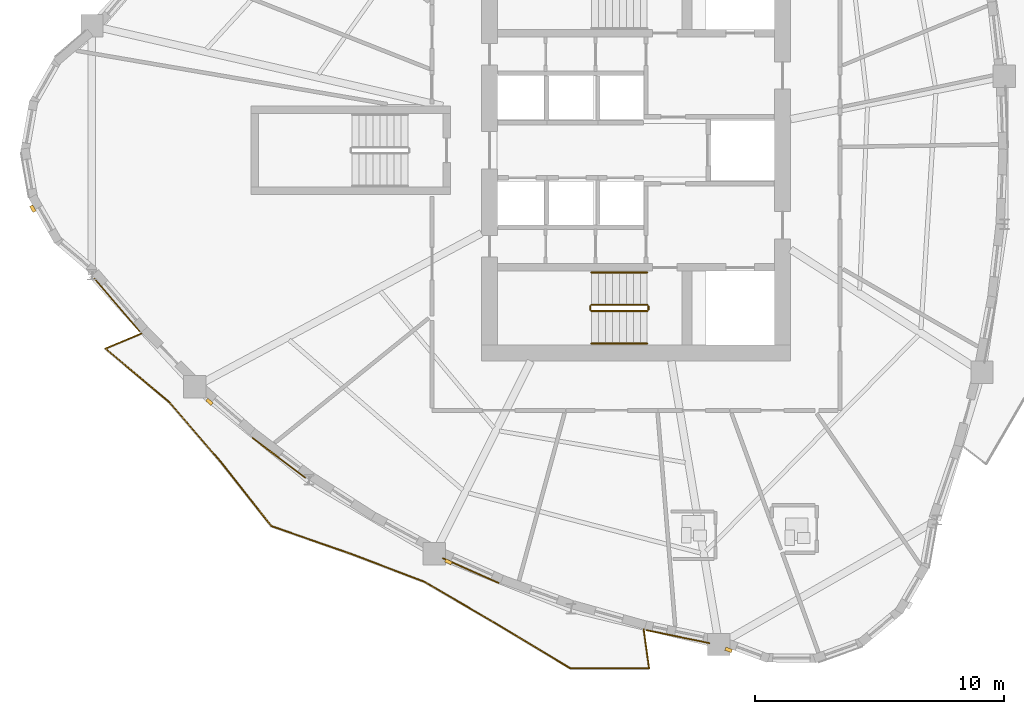
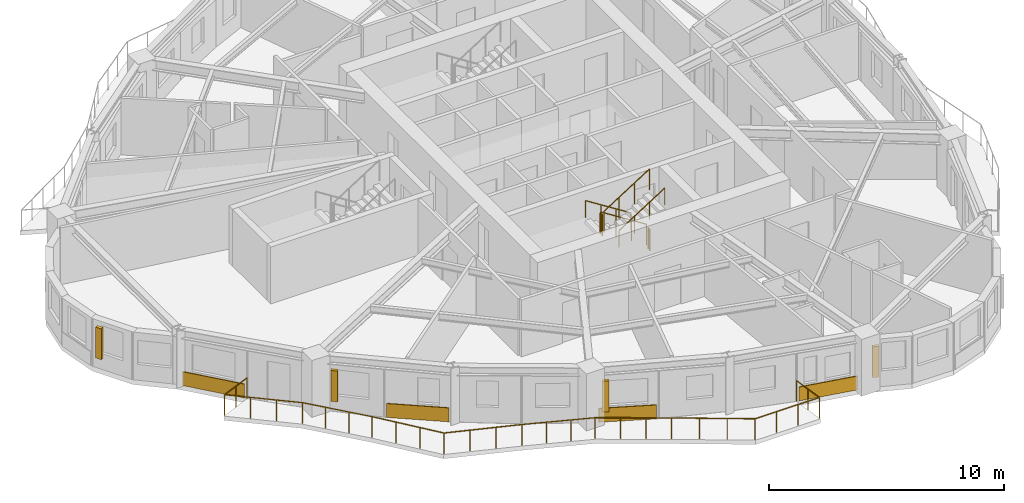
# One storey, part 9 of 12: 7 railings, 4 coverings, 4 shading devices.
"""IFC4 building model written with IfcOpenShell, lengths in metres."""

from ifc_helpers import new_model, si_unit, direction, frame, origin, origin_2d, place, context, subcontext, project, spatial, rectangle, circle, extrude, source, transform, mapped, material, layer, layer_set, type_object, element, save


model = new_model("IFC4")

# Units and contexts
model_context = context("Model", 3, precision=1e-05, world=origin(), true_north=direction((0.0, 1.0)))
body_context = subcontext(model_context, "Body", "Model", "MODEL_VIEW")
ifc_project = project(units=[si_unit("LENGTHUNIT", "METRE"), si_unit("AREAUNIT", "SQUARE_METRE"), si_unit("VOLUMEUNIT", "CUBIC_METRE"), si_unit("PLANEANGLEUNIT", "RADIAN"), si_unit("MASSUNIT", "GRAM", prefix="KILO")], contexts=[model_context])

# Site, building, storey
site_placement = place(None, origin())
site = spatial("IfcSite", under=ifc_project, at=site_placement, CompositionType="ELEMENT")
building_placement = place(site_placement, origin())
building = spatial("IfcBuilding", under=site, at=building_placement, Name="Qafzar Sky-Pleat Residences", CompositionType="ELEMENT")
storey_placement = place(building_placement, frame((0.0, 0.0, 121.60009765625)))
storey = spatial("IfcBuildingStorey", under=building, at=storey_placement, Name="L36", CompositionType="ELEMENT", Elevation=121.60009765625)

# Shading devices
ifc_material_1 = material(Name="Honed Riyadh limestone solar fin", Category="masonry")
ifc_layer_1 = layer(ifc_material_1, 0.139892578125)
ifc_layer_set_1 = layer_set([ifc_layer_1], Name="Honed Riyadh limestone solar fin")
shading_device_type = type_object("IfcShadingDeviceType", Name="SHD-FIN-STONE", PredefinedType="SHUTTER", material=ifc_layer_set_1)
shared_shape_1 = source(origin(), body_context, "Body", "SweptSolid", [
    extrude(rectangle(XDim=0.139892578125, YDim=0.280029296875, at=origin_2d()), origin(), (0.0, 0.0, 1.0), 1.60009765625),
])
for number, where, z_axis, x_axis, name in (
    (1, (6.156982421875, 23.658935546875, 0.599853515625), (0.0, 0.0, 1.0), (-0.86830785133, -0.4960256801, 0.0), "L36 Limestone Solar Fin 5"),
    (2, (13.2412109375, 15.90966796875, 0.599853515625), (0.0, 0.0, 1.0), (-0.659785415197, -0.751454061066, 0.0), "L36 Limestone Solar Fin 9"),
    (3, (22.826171875, 9.492431640625, 0.599853515625), (0.0, 0.0, 1.0), (-0.407076106401, -0.913394243247, 0.0), "L36 Limestone Solar Fin 13"),
    (4, (34.06201171875, 5.962890625, 0.599853515625), (0.0, 0.0, 1.0), (-0.349925962996, -0.936777359046, 0.0), "L36 Limestone Solar Fin 17"),
):
    element("IfcShadingDevice", number, at=place(storey_placement, frame(where, z_axis=z_axis, x_axis=x_axis)), inside=storey, type_object=shading_device_type, Name=name, PredefinedType="SHUTTER", context=body_context, shape_type="MappedRepresentation", body=[
        mapped(shared_shape_1, transform((0.0, 0.0, 0.0), x_axis=(1.0, 0.0, 0.0), y_axis=(0.0, 1.0, 0.0), z_axis=(0.0, 0.0, 1.0), scale=1.0)),
    ])

# Coverings
ifc_material_2 = material(Name="Honed Riyadh Tuwaiq limestone cladding", Category="masonry")
ifc_layer_2 = layer(ifc_material_2, 0.044921875)
ifc_layer_set_2 = layer_set([ifc_layer_2], Name="Honed Riyadh Tuwaiq limestone cladding")
covering_type = type_object("IfcCoveringType", Name="COV-CLAD-STONE", PredefinedType="CLADDING", material=ifc_layer_set_2)
shared_shape_2 = source(origin(), body_context, "Body", "SweptSolid", [
    extrude(rectangle(XDim=2.79296875, YDim=0.044921875, at=origin_2d()), origin(), (0.0, 0.0, 1.0), 0.719970703125),
])
covering_1_placement = place(storey_placement, frame((9.53466796875, 19.796142578125, 0.02001953125), z_axis=(0.0, 0.0, 1.0), x_axis=(0.650722374464, -0.75931573892, 0.0)))
element("IfcCovering", 5, at=covering_1_placement, inside=storey, type_object=covering_type, Name="L36 Riyadh Limestone Spandrel Cladding 7", PredefinedType="CLADDING", context=body_context, shape_type="MappedRepresentation", body=[
    mapped(shared_shape_2, transform((0.0, 0.0, 0.0), x_axis=(1.0, 0.0, 0.0), y_axis=(0.0, 1.0, 0.0), z_axis=(0.0, 0.0, 1.0), scale=1.0)),
])
shared_shape_3 = source(origin(), body_context, "Body", "SweptSolid", [
    extrude(rectangle(XDim=2.66064453125, YDim=0.044921875, at=origin_2d()), origin(), (0.0, 0.0, 1.0), 0.719970703125),
])
covering_2_placement = place(storey_placement, frame((16.0263671875, 13.663818359375, 0.02001953125), z_axis=(0.0, 0.0, 1.0), x_axis=(0.798349004967, -0.602195040056, 0.0)))
element("IfcCovering", 6, at=covering_2_placement, inside=storey, type_object=covering_type, Name="L36 Riyadh Limestone Spandrel Cladding 10", PredefinedType="CLADDING", context=body_context, shape_type="MappedRepresentation", body=[
    mapped(shared_shape_3, transform((0.0, 0.0, 0.0), x_axis=(1.0, 0.0, 0.0), y_axis=(0.0, 1.0, 0.0), z_axis=(0.0, 0.0, 1.0), scale=1.0)),
])
shared_shape_4 = source(origin(), body_context, "Body", "SweptSolid", [
    extrude(rectangle(XDim=2.4716796875, YDim=0.044921875, at=origin_2d()), origin(), (0.0, 0.0, 1.0), 0.719970703125),
])
covering_3_placement = place(storey_placement, frame((23.720458984375, 9.14111328125, 0.02001953125), z_axis=(0.0, 0.0, 1.0), x_axis=(0.913398138827, -0.407067365417, 0.0)))
element("IfcCovering", 7, at=covering_3_placement, inside=storey, type_object=covering_type, Name="L36 Riyadh Limestone Spandrel Cladding 13", PredefinedType="CLADDING", context=body_context, shape_type="MappedRepresentation", body=[
    mapped(shared_shape_4, transform((0.0, 0.0, 0.0), x_axis=(1.0, 0.0, 0.0), y_axis=(0.0, 1.0, 0.0), z_axis=(0.0, 0.0, 1.0), scale=1.0)),
])
shared_shape_5 = source(origin(), body_context, "Body", "SweptSolid", [
    extrude(rectangle(XDim=2.60400390625, YDim=0.044921875, at=origin_2d()), origin(), (0.0, 0.0, 1.0), 0.719970703125),
])
covering_4_placement = place(storey_placement, frame((32.030029296875, 6.4931640625, 0.02001953125), z_axis=(0.0, 0.0, 1.0), x_axis=(0.979418074611, -0.201842104442, 0.0)))
element("IfcCovering", 8, at=covering_4_placement, inside=storey, type_object=covering_type, Name="L36 Riyadh Limestone Spandrel Cladding 16", PredefinedType="CLADDING", context=body_context, shape_type="MappedRepresentation", body=[
    mapped(shared_shape_5, transform((0.0, 0.0, 0.0), x_axis=(1.0, 0.0, 0.0), y_axis=(0.0, 1.0, 0.0), z_axis=(0.0, 0.0, 1.0), scale=1.0)),
])

# Railings
ifc_material_3 = material(Name="Laminated glass and bronze steel balustrade", Category="steel")
railing_type_1 = type_object("IfcRailingType", Name="RAIL-BAL-1100", PredefinedType="BALUSTRADE", material=ifc_material_3)
shared_shape_6 = source(origin(), body_context, "Body", "SweptSolid", [
    extrude(circle(Radius=0.02392578125, at=origin_2d()), frame((0.0, 0.0, 1.076171875), z_axis=(-0.921859445808, -0.387524402039, 0.0), x_axis=(0.387524402039, -0.921859445808, 0.0)), (0.0, 0.0, 1.0), 1.578125),
    extrude(circle(Radius=0.02392578125, at=origin_2d()), frame((-1.454833984375, -0.611572265625, 1.076171875), z_axis=(0.765810733423, -0.643066031271, 0.0), x_axis=(0.643066031271, 0.765810733423, 0.0)), (0.0, 0.0, 1.0), 3.361328125),
    extrude(circle(Radius=0.02392578125, at=origin_2d()), frame((1.119384765625, -2.773193359375, 1.076171875), z_axis=(0.6520902188, -0.758141376358, 0.0), x_axis=(0.758141376358, 0.6520902188, 0.0)), (0.0, 0.0, 1.0), 3.14013671875),
    extrude(circle(Radius=0.02392578125, at=origin_2d()), frame((3.1669921875, -5.15380859375, 1.076171875), z_axis=(0.619603298541, -0.784915124352, 0.0), x_axis=(0.784915124352, 0.619603298541, 0.0)), (0.0, 0.0, 1.0), 3.282958984375),
    extrude(circle(Radius=0.02392578125, at=origin_2d()), frame((5.201171875, -7.730712890625, 1.076171875), z_axis=(0.944286935064, -0.329123357219, 0.0), x_axis=(0.329123357219, 0.944286935064, 0.0)), (0.0, 0.0, 1.0), 3.37744140625),
    extrude(circle(Radius=0.02392578125, at=origin_2d()), frame((8.390380859375, -8.84228515625, 1.076171875), z_axis=(0.934756882353, -0.355288011189, 0.0), x_axis=(0.355288011189, 0.934756882353, 0.0)), (0.0, 0.0, 1.0), 3.158203125),
    extrude(circle(Radius=0.02392578125, at=origin_2d()), frame((11.342529296875, -9.96435546875, 1.076171875), z_axis=(0.863282697097, -0.504720699886, 0.0), x_axis=(0.504720699886, 0.863282697097, 0.0)), (0.0, 0.0, 1.0), 3.25048828125),
    extrude(circle(Radius=0.02392578125, at=origin_2d()), frame((14.148681640625, -11.60498046875, 1.076171875), z_axis=(0.856793546701, -0.515659595403, 0.0), x_axis=(0.515659595403, 0.856793546701, 0.0)), (0.0, 0.0, 1.0), 3.546142578125),
    extrude(circle(Radius=0.02392578125, at=origin_2d()), frame((17.18701171875, -13.43359375, 1.076171875), z_axis=(0.999999952252, 0.000309023471, 0.0), x_axis=(-0.000309023471, 0.999999952252, 0.0)), (0.0, 0.0, 1.0), 3.16015625),
    extrude(circle(Radius=0.02392578125, at=origin_2d()), frame((20.34716796875, -13.4326171875, 1.076171875), z_axis=(-0.136914851748, 0.990582820046, 0.0), x_axis=(-0.990582820046, -0.136914851748, 0.0)), (0.0, 0.0, 1.0), 1.578125),
    extrude(circle(Radius=0.02099609375, at=origin_2d()), origin(), (0.0, 0.0, 1.0), 1.052001953125),
    extrude(circle(Radius=0.02099609375, at=origin_2d()), frame((-0.7275390625, -0.3056640625, 0.0)), (0.0, 0.0, 1.0), 1.052001953125),
    extrude(circle(Radius=0.02099609375, at=origin_2d()), frame((-1.454833984375, -0.611572265625, 0.0)), (0.0, 0.0, 1.0), 1.052001953125),
    extrude(circle(Radius=0.02099609375, at=origin_2d()), frame((-0.5966796875, -1.33203125, 0.0)), (0.0, 0.0, 1.0), 1.052001953125),
    extrude(circle(Radius=0.02099609375, at=origin_2d()), frame((0.26123046875, -2.052734375, 0.0)), (0.0, 0.0, 1.0), 1.052001953125),
    extrude(circle(Radius=0.02099609375, at=origin_2d()), frame((1.119384765625, -2.773193359375, 0.0)), (0.0, 0.0, 1.0), 1.052001953125),
    extrude(circle(Radius=0.02099609375, at=origin_2d()), frame((1.802001953125, -3.566650390625, 0.0)), (0.0, 0.0, 1.0), 1.052001953125),
    extrude(circle(Radius=0.02099609375, at=origin_2d()), frame((2.484375, -4.3603515625, 0.0)), (0.0, 0.0, 1.0), 1.052001953125),
    extrude(circle(Radius=0.02099609375, at=origin_2d()), frame((3.1669921875, -5.15380859375, 0.0)), (0.0, 0.0, 1.0), 1.052001953125),
    extrude(circle(Radius=0.02099609375, at=origin_2d()), frame((3.844970703125, -6.0126953125, 0.0)), (0.0, 0.0, 1.0), 1.052001953125),
    extrude(circle(Radius=0.02099609375, at=origin_2d()), frame((4.523193359375, -6.871826171875, 0.0)), (0.0, 0.0, 1.0), 1.052001953125),
    extrude(circle(Radius=0.02099609375, at=origin_2d()), frame((5.201171875, -7.730712890625, 0.0)), (0.0, 0.0, 1.0), 1.052001953125),
    extrude(circle(Radius=0.02099609375, at=origin_2d()), frame((6.26416015625, -8.101318359375, 0.0)), (0.0, 0.0, 1.0), 1.052001953125),
    extrude(circle(Radius=0.02099609375, at=origin_2d()), frame((7.327392578125, -8.4716796875, 0.0)), (0.0, 0.0, 1.0), 1.052001953125),
    extrude(circle(Radius=0.02099609375, at=origin_2d()), frame((8.390380859375, -8.84228515625, 0.0)), (0.0, 0.0, 1.0), 1.052001953125),
    extrude(circle(Radius=0.02099609375, at=origin_2d()), frame((9.37451171875, -9.21630859375, 0.0)), (0.0, 0.0, 1.0), 1.052001953125),
    extrude(circle(Radius=0.02099609375, at=origin_2d()), frame((10.3583984375, -9.59033203125, 0.0)), (0.0, 0.0, 1.0), 1.052001953125),
    extrude(circle(Radius=0.02099609375, at=origin_2d()), frame((11.342529296875, -9.96435546875, 0.0)), (0.0, 0.0, 1.0), 1.052001953125),
    extrude(circle(Radius=0.02099609375, at=origin_2d()), frame((12.27783203125, -10.51123046875, 0.0)), (0.0, 0.0, 1.0), 1.052001953125),
    extrude(circle(Radius=0.02099609375, at=origin_2d()), frame((13.21337890625, -11.05810546875, 0.0)), (0.0, 0.0, 1.0), 1.052001953125),
    extrude(circle(Radius=0.02099609375, at=origin_2d()), frame((14.148681640625, -11.60498046875, 0.0)), (0.0, 0.0, 1.0), 1.052001953125),
    extrude(circle(Radius=0.02099609375, at=origin_2d()), frame((15.161376953125, -12.214599609375, 0.0)), (0.0, 0.0, 1.0), 1.052001953125),
    extrude(circle(Radius=0.02099609375, at=origin_2d()), frame((16.17431640625, -12.823974609375, 0.0)), (0.0, 0.0, 1.0), 1.052001953125),
    extrude(circle(Radius=0.02099609375, at=origin_2d()), frame((17.18701171875, -13.43359375, 0.0)), (0.0, 0.0, 1.0), 1.052001953125),
    extrude(circle(Radius=0.02099609375, at=origin_2d()), frame((18.240478515625, -13.433349609375, 0.0)), (0.0, 0.0, 1.0), 1.052001953125),
    extrude(circle(Radius=0.02099609375, at=origin_2d()), frame((19.293701171875, -13.432861328125, 0.0)), (0.0, 0.0, 1.0), 1.052001953125),
    extrude(circle(Radius=0.02099609375, at=origin_2d()), frame((20.34716796875, -13.4326171875, 0.0)), (0.0, 0.0, 1.0), 1.052001953125),
    extrude(circle(Radius=0.02099609375, at=origin_2d()), frame((20.2392578125, -12.65087890625, 0.0)), (0.0, 0.0, 1.0), 1.052001953125),
    extrude(circle(Radius=0.02099609375, at=origin_2d()), frame((20.131103515625, -11.869384765625, 0.0)), (0.0, 0.0, 1.0), 1.052001953125),
])
railing_1_placement = place(storey_placement, frame((10.525390625, 18.656494140625, 0.0)))
element("IfcRailing", 9, at=railing_1_placement, inside=storey, type_object=railing_type_1, Name="L36 Pleated Balcony 3 Balustrade", PredefinedType="BALUSTRADE", context=body_context, shape_type="MappedRepresentation", body=[
    mapped(shared_shape_6, transform((0.0, 0.0, 0.0), x_axis=(1.0, 0.0, 0.0), y_axis=(0.0, 1.0, 0.0), z_axis=(0.0, 0.0, 1.0), scale=1.0)),
])
ifc_material_4 = material(Name="Painted Steel S355 stair guardrail", Category="steel")
railing_type_2 = type_object("IfcRailingType", Name="RAIL-STAIR-GUARD", PredefinedType="GUARDRAIL", material=ifc_material_4)
shared_shape_7 = source(origin(), body_context, "Body", "SweptSolid", [
    extrude(circle(Radius=0.02392578125, at=origin_2d()), frame((0.0, 0.0, 1.076171875), z_axis=(0.0, -1.0, 0.0), x_axis=(1.0, 0.0, 0.0)), (0.0, 0.0, 1.0), 0.14990234375),
    extrude(circle(Radius=0.02099609375, at=origin_2d()), origin(), (0.0, 0.0, 1.0), 1.052001953125),
    extrude(circle(Radius=0.02099609375, at=origin_2d()), frame((0.0, -0.14990234375, 0.0)), (0.0, 0.0, 1.0), 1.052001953125),
])
for number, where, name in (
    (10, (28.510009765625, 19.75, 1.599853515625), "L36 ST1 stair guard 2"),
    (11, (30.85009765625, 19.75, 0.0), "L36 ST1 stair guard 4"),
):
    element("IfcRailing", number, at=place(storey_placement, frame(where)), inside=storey, type_object=railing_type_2, Name=name, PredefinedType="GUARDRAIL", context=body_context, shape_type="MappedRepresentation", body=[
        mapped(shared_shape_7, transform((0.0, 0.0, 0.0), x_axis=(1.0, 0.0, 0.0), y_axis=(0.0, 1.0, 0.0), z_axis=(0.0, 0.0, 1.0), scale=1.0)),
    ])
shared_shape_8 = source(origin(), body_context, "Body", "SweptSolid", [
    extrude(circle(Radius=0.02392578125, at=origin_2d()), frame((0.0, 0.0, 1.076171875), z_axis=(-0.8442293374, 0.0, 0.53598211339), x_axis=(0.0, -1.0, 0.0)), (0.0, 0.0, 1.0), 2.6533203125),
    extrude(circle(Radius=0.02099609375, at=origin_2d()), origin(), (0.0, 0.0, 1.0), 1.052001953125),
    extrude(circle(Radius=0.02099609375, at=origin_2d()), frame((-0.74658203125, 0.0, 0.47412109375)), (0.0, 0.0, 1.0), 1.052001953125),
    extrude(circle(Radius=0.02099609375, at=origin_2d()), frame((-1.493408203125, 0.0, 0.947998046875)), (0.0, 0.0, 1.0), 1.052001953125),
    extrude(circle(Radius=0.02099609375, at=origin_2d()), frame((-2.239990234375, 0.0, 1.422119140625)), (0.0, 0.0, 1.0), 1.052001953125),
])
railing_2_placement = place(storey_placement, frame((30.800048828125, 19.800048828125, 0.177734375)))
element("IfcRailing", 12, at=railing_2_placement, inside=storey, type_object=railing_type_2, Name="L36 ST1 stair guard 1", PredefinedType="GUARDRAIL", context=body_context, shape_type="MappedRepresentation", body=[
    mapped(shared_shape_8, transform((0.0, 0.0, 0.0), x_axis=(1.0, 0.0, 0.0), y_axis=(0.0, 1.0, 0.0), z_axis=(0.0, 0.0, 1.0), scale=1.0)),
])
ifc_material_5 = material(Name="Brushed stainless steel handrail", Category="steel")
railing_type_3 = type_object("IfcRailingType", Name="RAIL-STAIR-HAND", PredefinedType="HANDRAIL", material=ifc_material_5)
shared_shape_9 = source(origin(), body_context, "Body", "SweptSolid", [
    extrude(circle(Radius=0.02392578125, at=origin_2d()), frame((0.0, 0.0, 0.8759765625), z_axis=(-0.8442293374, 0.0, 0.53598211339), x_axis=(0.0, -1.0, 0.0)), (0.0, 0.0, 1.0), 2.6533203125),
    extrude(circle(Radius=0.02099609375, at=origin_2d()), origin(), (0.0, 0.0, 1.0), 0.851806640625),
    extrude(circle(Radius=0.02099609375, at=origin_2d()), frame((-0.74658203125, 0.0, 0.47412109375)), (0.0, 0.0, 1.0), 0.851806640625),
    extrude(circle(Radius=0.02099609375, at=origin_2d()), frame((-1.493408203125, 0.0, 0.947998046875)), (0.0, 0.0, 1.0), 0.851806640625),
    extrude(circle(Radius=0.02099609375, at=origin_2d()), frame((-2.239990234375, 0.0, 1.422119140625)), (0.0, 0.0, 1.0), 0.851806640625),
])
railing_3_placement = place(storey_placement, frame((30.800048828125, 21.10009765625, 0.177734375)))
element("IfcRailing", 13, at=railing_3_placement, inside=storey, type_object=railing_type_3, Name="L36 ST1 stair handrail 1", PredefinedType="HANDRAIL", context=body_context, shape_type="MappedRepresentation", body=[
    mapped(shared_shape_9, transform((0.0, 0.0, 0.0), x_axis=(1.0, 0.0, 0.0), y_axis=(0.0, 1.0, 0.0), z_axis=(0.0, 0.0, 1.0), scale=1.0)),
])
shared_shape_10 = source(origin(), body_context, "Body", "SweptSolid", [
    extrude(circle(Radius=0.02392578125, at=origin_2d()), frame((0.0, 0.0, 1.076171875), z_axis=(0.84418770128, 0.0, 0.536047689118), x_axis=(0.0, 1.0, 0.0)), (0.0, 0.0, 1.0), 2.6533203125),
    extrude(circle(Radius=0.02099609375, at=origin_2d()), origin(), (0.0, 0.0, 1.0), 1.052001953125),
    extrude(circle(Radius=0.02099609375, at=origin_2d()), frame((0.74658203125, 0.0, 0.47412109375)), (0.0, 0.0, 1.0), 1.052001953125),
    extrude(circle(Radius=0.02099609375, at=origin_2d()), frame((1.493408203125, 0.0, 0.9482421875)), (0.0, 0.0, 1.0), 1.052001953125),
    extrude(circle(Radius=0.02099609375, at=origin_2d()), frame((2.239990234375, 0.0, 1.42236328125)), (0.0, 0.0, 1.0), 1.052001953125),
])
railing_4_placement = place(storey_placement, frame((28.56005859375, 19.550048828125, 1.777587890625)))
element("IfcRailing", 14, at=railing_4_placement, inside=storey, type_object=railing_type_2, Name="L36 ST1 stair guard 3", PredefinedType="GUARDRAIL", context=body_context, shape_type="MappedRepresentation", body=[
    mapped(shared_shape_10, transform((0.0, 0.0, 0.0), x_axis=(1.0, 0.0, 0.0), y_axis=(0.0, 1.0, 0.0), z_axis=(0.0, 0.0, 1.0), scale=1.0)),
])
shared_shape_11 = source(origin(), body_context, "Body", "SweptSolid", [
    extrude(circle(Radius=0.02392578125, at=origin_2d()), frame((0.0, 0.0, 0.8759765625), z_axis=(0.84418770128, 0.0, 0.536047689118), x_axis=(0.0, 1.0, 0.0)), (0.0, 0.0, 1.0), 2.6533203125),
    extrude(circle(Radius=0.02099609375, at=origin_2d()), origin(), (0.0, 0.0, 1.0), 0.851806640625),
    extrude(circle(Radius=0.02099609375, at=origin_2d()), frame((0.74658203125, 0.0, 0.47412109375)), (0.0, 0.0, 1.0), 0.851806640625),
    extrude(circle(Radius=0.02099609375, at=origin_2d()), frame((1.493408203125, 0.0, 0.9482421875)), (0.0, 0.0, 1.0), 0.851806640625),
    extrude(circle(Radius=0.02099609375, at=origin_2d()), frame((2.239990234375, 0.0, 1.42236328125)), (0.0, 0.0, 1.0), 0.851806640625),
])
railing_5_placement = place(storey_placement, frame((28.56005859375, 18.25, 1.777587890625)))
element("IfcRailing", 15, at=railing_5_placement, inside=storey, type_object=railing_type_3, Name="L36 ST1 stair handrail 2", PredefinedType="HANDRAIL", context=body_context, shape_type="MappedRepresentation", body=[
    mapped(shared_shape_11, transform((0.0, 0.0, 0.0), x_axis=(1.0, 0.0, 0.0), y_axis=(0.0, 1.0, 0.0), z_axis=(0.0, 0.0, 1.0), scale=1.0)),
])

save(model, "model.ifc")
